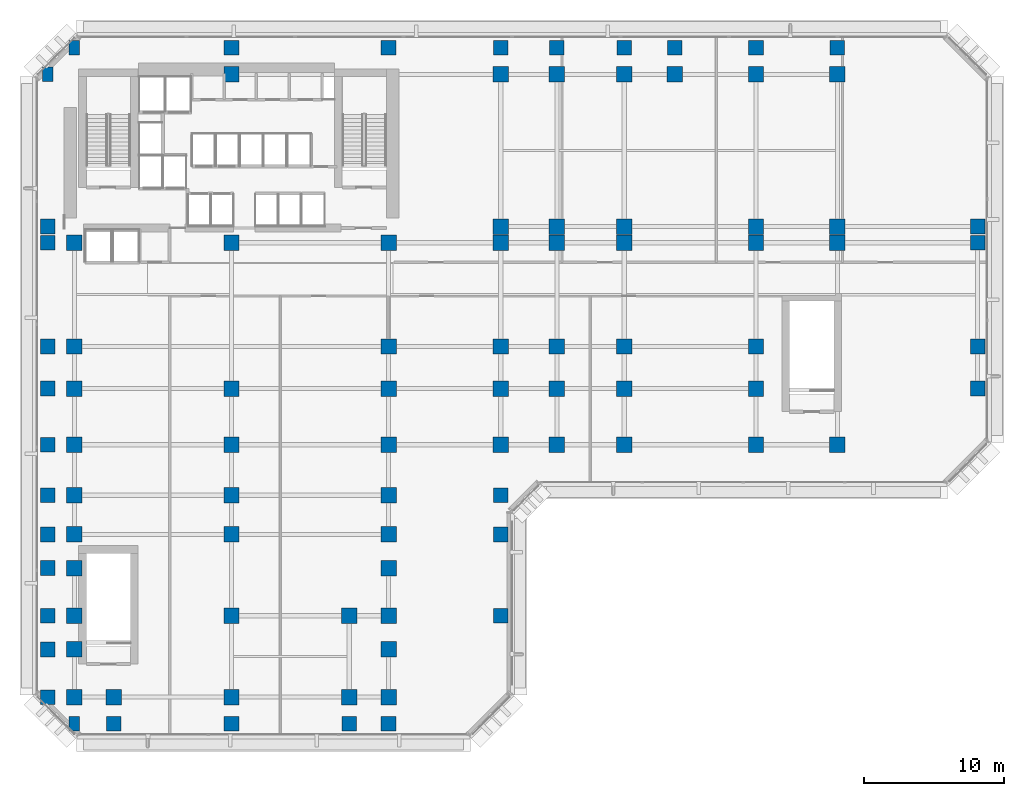
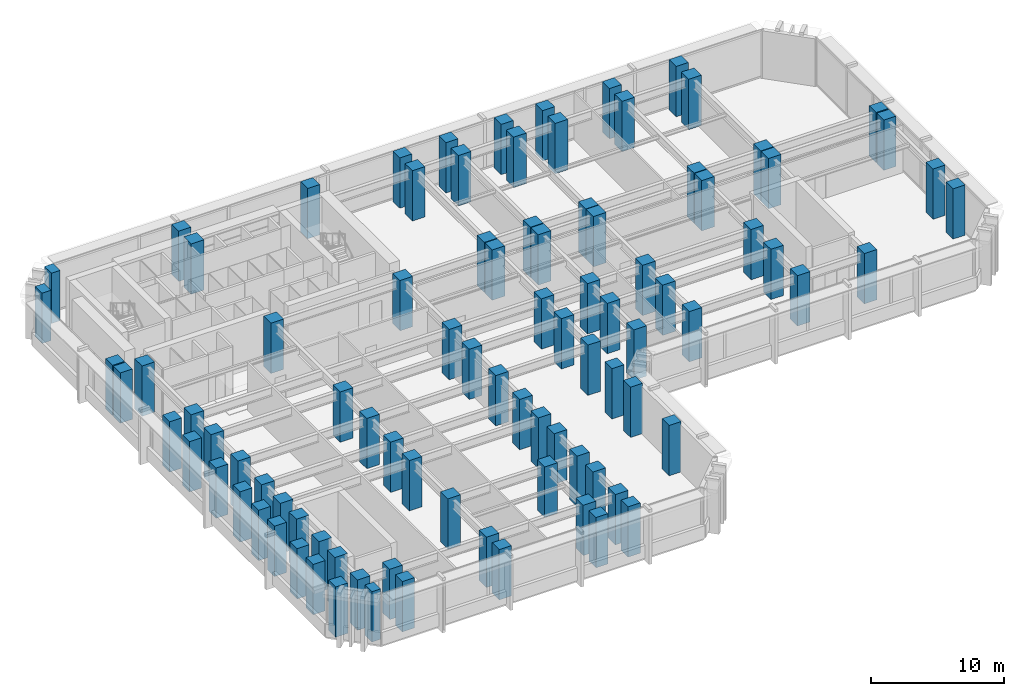
# One storey, part 1 of 14: 93 columns.
"""IFC4 building model written with IfcOpenShell, lengths in metres."""

from ifc_helpers import new_model, si_unit, direction, frame, origin, origin_2d, place, context, subcontext, project, spatial, rectangle, extrude, material, material_profile, profile_set, type_object, element, save


model = new_model("IFC4")

# Units and contexts
model_context = context("Model", 3, precision=1e-05, world=origin(), true_north=direction((0.0, 1.0)))
body_context = subcontext(model_context, "Body", "Model", "MODEL_VIEW")
ifc_project = project(units=[si_unit("LENGTHUNIT", "METRE"), si_unit("AREAUNIT", "SQUARE_METRE"), si_unit("VOLUMEUNIT", "CUBIC_METRE"), si_unit("PLANEANGLEUNIT", "RADIAN"), si_unit("MASSUNIT", "GRAM", prefix="KILO")], contexts=[model_context])

# Site, building, storey
site_placement = place(None, origin())
site = spatial("IfcSite", under=ifc_project, at=site_placement, CompositionType="ELEMENT")
building_placement = place(site_placement, origin())
building = spatial("IfcBuilding", under=site, at=building_placement, Name="Kefirva Bronze Tower", CompositionType="ELEMENT")
storey_placement = place(building_placement, frame((0.0, 0.0, 25.739990234375)))
storey = spatial("IfcBuildingStorey", under=building, at=storey_placement, Name="L05", CompositionType="ELEMENT", Elevation=25.739990234375)

# Columns
ifc_material = material(Name="Concrete C60/75", Category="concrete")
ifc_material_profile_1 = material_profile(ifc_material, rectangle(XDim=1.050048828125, YDim=1.050048828125, at=origin_2d()), Name="RC 1050x1050")
ifc_profile_set_1 = profile_set([ifc_material_profile_1], Name="Concrete C60/75")
column_type_1 = type_object("IfcColumnType", Name="RC Column 1050x1050 Ext", PredefinedType="COLUMN", material=ifc_profile_set_1)
for number, where, z_axis, x_axis, name in (
    (1, (-1.10009765625, 0.800048828125, 0.0), (0.0, 0.0, 1.0), (1.0, 0.0, 0.0), "L05 Column C-11_008"),
    (2, (-1.10009765625, 4.199951171875, 0.0), (0.0, 0.0, 1.0), (1.0, 0.0, 0.0), "L05 Column C-11_042"),
    (3, (-1.10009765625, 6.60009765625, 0.0), (0.0, 0.0, 1.0), (1.0, 0.0, 0.0), "L05 Column C-11_066"),
    (4, (-1.10009765625, 10.0, 0.0), (0.0, 0.0, 1.0), (1.0, 0.0, 0.0), "L05 Column C-11_100"),
    (5, (-1.10009765625, 12.39990234375, 0.0), (0.0, 0.0, 1.0), (1.0, 0.0, 0.0), "L05 Column C-11_124"),
    (6, (-1.10009765625, 15.199951171875, 0.0), (0.0, 0.0, 1.0), (1.0, 0.0, 0.0), "L05 Column C-11_152"),
    (7, (-1.10009765625, 18.800048828125, 0.0), (0.0, 0.0, 1.0), (1.0, 0.0, 0.0), "L05 Column C-11_188"),
    (8, (-1.10009765625, 22.800048828125, 0.0), (0.0, 0.0, 1.0), (1.0, 0.0, 0.0), "L05 Column C-11_228"),
    (9, (-1.10009765625, 25.800048828125, 0.0), (0.0, 0.0, 1.0), (1.0, 0.0, 0.0), "L05 Column C-11_258"),
    (10, (-1.10009765625, 33.199951171875, 0.0), (0.0, 0.0, 1.0), (1.0, 0.0, 0.0), "L05 Column C-11_332"),
    (11, (-1.10009765625, 34.35009765625, 0.0), (0.0, 0.0, 1.0), (1.0, 0.0, 0.0), "L05 Column C-11_344"),
    (12, (3.60009765625, -1.10009765625, 0.0), (0.0, 0.0, 1.0), (1.0, 0.0, 0.0), "L05 Column C036_-11"),
    (13, (12.0, -1.10009765625, 0.0), (0.0, 0.0, 1.0), (1.0, 0.0, 0.0), "L05 Column C120_-11"),
    (14, (12.0, 47.10009765625, 0.0), (0.0, 0.0, 1.0), (1.0, 0.0, 0.0), "L05 Column C120_471"),
    (15, (20.39990234375, -1.10009765625, 0.0), (0.0, 0.0, 1.0), (1.0, 0.0, 0.0), "L05 Column C204_-11"),
    (16, (23.199951171875, -1.10009765625, 0.0), (0.0, 0.0, 1.0), (1.0, 0.0, 0.0), "L05 Column C232_-11"),
    (17, (23.199951171875, 47.10009765625, 0.0), (0.0, 0.0, 1.0), (1.0, 0.0, 0.0), "L05 Column C232_471"),
    (18, (31.199951171875, 6.60009765625, 0.0), (0.0, 0.0, 1.0), (1.0, 0.0, 0.0), "L05 Column C312_066"),
    (19, (31.199951171875, 12.39990234375, 0.0), (0.0, 0.0, 1.0), (1.0, 0.0, 0.0), "L05 Column C312_124"),
    (20, (31.199951171875, 15.199951171875, 0.0), (0.0, 0.0, 1.0), (1.0, 0.0, 0.0), "L05 Column C312_152"),
    (21, (31.199951171875, 47.10009765625, 0.0), (0.0, 0.0, 1.0), (1.0, 0.0, 0.0), "L05 Column C312_471"),
    (22, (35.199951171875, 47.10009765625, 0.0), (0.0, 0.0, 1.0), (1.0, 0.0, 0.0), "L05 Column C352_471"),
    (23, (40.0, 47.10009765625, 0.0), (0.0, 0.0, 1.0), (1.0, 0.0, 0.0), "L05 Column C400_471"),
    (24, (43.60009765625, 47.10009765625, 0.0), (0.0, 0.0, 1.0), (1.0, 0.0, 0.0), "L05 Column C436_471"),
    (25, (49.39990234375, 47.10009765625, 0.0), (0.0, 0.0, 1.0), (1.0, 0.0, 0.0), "L05 Column C494_471"),
    (26, (55.199951171875, 47.10009765625, 0.0), (0.0, 0.0, 1.0), (1.0, 0.0, 0.0), "L05 Column C552_471"),
    (27, (65.199951171875, 22.800048828125, 0.0), (0.0, 0.0, 1.0), (1.0, 0.0, 0.0), "L05 Column C652_228"),
    (28, (65.199951171875, 25.800048828125, 0.0), (0.0, 0.0, 1.0), (1.0, 0.0, 0.0), "L05 Column C652_258"),
    (29, (65.199951171875, 33.199951171875, 0.0), (0.0, 0.0, 1.0), (1.0, 0.0, 0.0), "L05 Column C652_332"),
    (30, (65.199951171875, 34.35009765625, 0.0), (0.0, 0.0, 1.0), (1.0, 0.0, 0.0), "L05 Column C652_344"),
):
    element("IfcColumn", number, at=place(storey_placement, frame(where, z_axis=z_axis, x_axis=x_axis)), inside=storey, type_object=column_type_1, Name=name, PredefinedType="COLUMN", context=body_context, shape_type="SweptSolid", body=[
        extrude(rectangle(XDim=1.050048828125, YDim=1.050048828125, at=origin_2d()), origin(), (0.0, 0.0, 1.0), 4.6201171875),
    ])
ifc_material_profile_2 = material_profile(ifc_material, rectangle(XDim=1.10009765625, YDim=1.10009765625, at=origin_2d()), Name="RC 1100x1100")
ifc_profile_set_2 = profile_set([ifc_material_profile_2], Name="Concrete C60/75")
column_type_2 = type_object("IfcColumnType", Name="RC Column 1100x1100 Int", PredefinedType="COLUMN", material=ifc_profile_set_2)
for number, where, z_axis, x_axis, name in (
    (31, (0.800048828125, 0.800048828125, 0.0), (0.0, 0.0, 1.0), (1.0, 0.0, 0.0), "L05 Column C008_008"),
    (32, (0.800048828125, 4.199951171875, 0.0), (0.0, 0.0, 1.0), (1.0, 0.0, 0.0), "L05 Column C008_042"),
    (33, (0.800048828125, 6.60009765625, 0.0), (0.0, 0.0, 1.0), (1.0, 0.0, 0.0), "L05 Column C008_066"),
    (34, (0.800048828125, 10.0, 0.0), (0.0, 0.0, 1.0), (1.0, 0.0, 0.0), "L05 Column C008_100"),
    (35, (0.800048828125, 12.39990234375, 0.0), (0.0, 0.0, 1.0), (1.0, 0.0, 0.0), "L05 Column C008_124"),
    (36, (0.800048828125, 15.199951171875, 0.0), (0.0, 0.0, 1.0), (1.0, 0.0, 0.0), "L05 Column C008_152"),
    (37, (0.800048828125, 18.800048828125, 0.0), (0.0, 0.0, 1.0), (1.0, 0.0, 0.0), "L05 Column C008_188"),
    (38, (0.800048828125, 22.800048828125, 0.0), (0.0, 0.0, 1.0), (1.0, 0.0, 0.0), "L05 Column C008_228"),
    (39, (0.800048828125, 25.800048828125, 0.0), (0.0, 0.0, 1.0), (1.0, 0.0, 0.0), "L05 Column C008_258"),
    (40, (0.800048828125, 33.199951171875, 0.0), (0.0, 0.0, 1.0), (1.0, 0.0, 0.0), "L05 Column C008_332"),
    (41, (3.60009765625, 0.800048828125, 0.0), (0.0, 0.0, 1.0), (1.0, 0.0, 0.0), "L05 Column C036_008"),
    (42, (12.0, 0.800048828125, 0.0), (0.0, 0.0, 1.0), (1.0, 0.0, 0.0), "L05 Column C120_008"),
    (43, (12.0, 6.60009765625, 0.0), (0.0, 0.0, 1.0), (1.0, 0.0, 0.0), "L05 Column C120_066"),
    (44, (12.0, 12.39990234375, 0.0), (0.0, 0.0, 1.0), (1.0, 0.0, 0.0), "L05 Column C120_124"),
    (45, (12.0, 15.199951171875, 0.0), (0.0, 0.0, 1.0), (1.0, 0.0, 0.0), "L05 Column C120_152"),
    (46, (12.0, 18.800048828125, 0.0), (0.0, 0.0, 1.0), (1.0, 0.0, 0.0), "L05 Column C120_188"),
    (47, (12.0, 22.800048828125, 0.0), (0.0, 0.0, 1.0), (1.0, 0.0, 0.0), "L05 Column C120_228"),
    (48, (12.0, 33.199951171875, 0.0), (0.0, 0.0, 1.0), (1.0, 0.0, 0.0), "L05 Column C120_332"),
    (49, (12.0, 45.199951171875, 0.0), (0.0, 0.0, 1.0), (1.0, 0.0, 0.0), "L05 Column C120_452"),
    (50, (20.39990234375, 0.800048828125, 0.0), (0.0, 0.0, 1.0), (1.0, 0.0, 0.0), "L05 Column C204_008"),
    (51, (20.39990234375, 6.60009765625, 0.0), (0.0, 0.0, 1.0), (1.0, 0.0, 0.0), "L05 Column C204_066"),
    (52, (23.199951171875, 0.800048828125, 0.0), (0.0, 0.0, 1.0), (1.0, 0.0, 0.0), "L05 Column C232_008"),
    (53, (23.199951171875, 4.199951171875, 0.0), (0.0, 0.0, 1.0), (1.0, 0.0, 0.0), "L05 Column C232_042"),
    (54, (23.199951171875, 6.60009765625, 0.0), (0.0, 0.0, 1.0), (1.0, 0.0, 0.0), "L05 Column C232_066"),
    (55, (23.199951171875, 10.0, 0.0), (0.0, 0.0, 1.0), (1.0, 0.0, 0.0), "L05 Column C232_100"),
    (56, (23.199951171875, 12.39990234375, 0.0), (0.0, 0.0, 1.0), (1.0, 0.0, 0.0), "L05 Column C232_124"),
    (57, (23.199951171875, 15.199951171875, 0.0), (0.0, 0.0, 1.0), (1.0, 0.0, 0.0), "L05 Column C232_152"),
    (58, (23.199951171875, 18.800048828125, 0.0), (0.0, 0.0, 1.0), (1.0, 0.0, 0.0), "L05 Column C232_188"),
    (59, (23.199951171875, 22.800048828125, 0.0), (0.0, 0.0, 1.0), (1.0, 0.0, 0.0), "L05 Column C232_228"),
    (60, (23.199951171875, 25.800048828125, 0.0), (0.0, 0.0, 1.0), (1.0, 0.0, 0.0), "L05 Column C232_258"),
    (61, (23.199951171875, 33.199951171875, 0.0), (0.0, 0.0, 1.0), (1.0, 0.0, 0.0), "L05 Column C232_332"),
    (62, (31.199951171875, 18.800048828125, 0.0), (0.0, 0.0, 1.0), (1.0, 0.0, 0.0), "L05 Column C312_188"),
    (63, (31.199951171875, 22.800048828125, 0.0), (0.0, 0.0, 1.0), (1.0, 0.0, 0.0), "L05 Column C312_228"),
    (64, (31.199951171875, 25.800048828125, 0.0), (0.0, 0.0, 1.0), (1.0, 0.0, 0.0), "L05 Column C312_258"),
    (65, (31.199951171875, 33.199951171875, 0.0), (0.0, 0.0, 1.0), (1.0, 0.0, 0.0), "L05 Column C312_332"),
    (66, (31.199951171875, 34.35009765625, 0.0), (0.0, 0.0, 1.0), (1.0, 0.0, 0.0), "L05 Column C312_344"),
    (67, (31.199951171875, 45.199951171875, 0.0), (0.0, 0.0, 1.0), (1.0, 0.0, 0.0), "L05 Column C312_452"),
    (68, (35.199951171875, 18.800048828125, 0.0), (0.0, 0.0, 1.0), (1.0, 0.0, 0.0), "L05 Column C352_188"),
    (69, (35.199951171875, 22.800048828125, 0.0), (0.0, 0.0, 1.0), (1.0, 0.0, 0.0), "L05 Column C352_228"),
    (70, (35.199951171875, 25.800048828125, 0.0), (0.0, 0.0, 1.0), (1.0, 0.0, 0.0), "L05 Column C352_258"),
    (71, (35.199951171875, 33.199951171875, 0.0), (0.0, 0.0, 1.0), (1.0, 0.0, 0.0), "L05 Column C352_332"),
    (72, (35.199951171875, 34.35009765625, 0.0), (0.0, 0.0, 1.0), (1.0, 0.0, 0.0), "L05 Column C352_344"),
    (73, (35.199951171875, 45.199951171875, 0.0), (0.0, 0.0, 1.0), (1.0, 0.0, 0.0), "L05 Column C352_452"),
    (74, (40.0, 18.800048828125, 0.0), (0.0, 0.0, 1.0), (1.0, 0.0, 0.0), "L05 Column C400_188"),
    (75, (40.0, 22.800048828125, 0.0), (0.0, 0.0, 1.0), (1.0, 0.0, 0.0), "L05 Column C400_228"),
    (76, (40.0, 25.800048828125, 0.0), (0.0, 0.0, 1.0), (1.0, 0.0, 0.0), "L05 Column C400_258"),
    (77, (40.0, 33.199951171875, 0.0), (0.0, 0.0, 1.0), (1.0, 0.0, 0.0), "L05 Column C400_332"),
    (78, (40.0, 34.35009765625, 0.0), (0.0, 0.0, 1.0), (1.0, 0.0, 0.0), "L05 Column C400_344"),
    (79, (40.0, 45.199951171875, 0.0), (0.0, 0.0, 1.0), (1.0, 0.0, 0.0), "L05 Column C400_452"),
    (80, (43.60009765625, 45.199951171875, 0.0), (0.0, 0.0, 1.0), (1.0, 0.0, 0.0), "L05 Column C436_452"),
    (81, (49.39990234375, 18.800048828125, 0.0), (0.0, 0.0, 1.0), (1.0, 0.0, 0.0), "L05 Column C494_188"),
    (82, (49.39990234375, 22.800048828125, 0.0), (0.0, 0.0, 1.0), (1.0, 0.0, 0.0), "L05 Column C494_228"),
    (83, (49.39990234375, 25.800048828125, 0.0), (0.0, 0.0, 1.0), (1.0, 0.0, 0.0), "L05 Column C494_258"),
    (84, (49.39990234375, 33.199951171875, 0.0), (0.0, 0.0, 1.0), (1.0, 0.0, 0.0), "L05 Column C494_332"),
    (85, (49.39990234375, 34.35009765625, 0.0), (0.0, 0.0, 1.0), (1.0, 0.0, 0.0), "L05 Column C494_344"),
    (86, (49.39990234375, 45.199951171875, 0.0), (0.0, 0.0, 1.0), (1.0, 0.0, 0.0), "L05 Column C494_452"),
    (87, (55.199951171875, 18.800048828125, 0.0), (0.0, 0.0, 1.0), (1.0, 0.0, 0.0), "L05 Column C552_188"),
    (88, (55.199951171875, 33.199951171875, 0.0), (0.0, 0.0, 1.0), (1.0, 0.0, 0.0), "L05 Column C552_332"),
    (89, (55.199951171875, 34.35009765625, 0.0), (0.0, 0.0, 1.0), (1.0, 0.0, 0.0), "L05 Column C552_344"),
    (90, (55.199951171875, 45.199951171875, 0.0), (0.0, 0.0, 1.0), (1.0, 0.0, 0.0), "L05 Column C552_452"),
):
    element("IfcColumn", number, at=place(storey_placement, frame(where, z_axis=z_axis, x_axis=x_axis)), inside=storey, type_object=column_type_2, Name=name, PredefinedType="COLUMN", context=body_context, shape_type="SweptSolid", body=[
        extrude(rectangle(XDim=1.10009765625, YDim=1.10009765625, at=origin_2d()), origin(), (0.0, 0.0, 1.0), 4.6201171875),
    ])
ifc_material_profile_3 = material_profile(ifc_material, rectangle(XDim=0.760009765625, YDim=1.0400390625, at=origin_2d()), Name="RC 760x1040")
ifc_profile_set_3 = profile_set([ifc_material_profile_3], Name="Concrete C60/75")
column_type_3 = type_object("IfcColumnType", Name="RC Corner Buttress Pilaster 1040x760", PredefinedType="PILASTER", material=ifc_profile_set_3)
for number, where, z_axis, x_axis, name in (
    (91, (-1.10009765625, 45.199951171875, 0.0), (0.0, 0.0, 1.0), (1.0, 0.0, 0.0), "L05 Column C-11_452"),
    (92, (0.800048828125, -1.10009765625, 0.0), (0.0, 0.0, 1.0), (1.0, 0.0, 0.0), "L05 Column C008_-11"),
    (93, (0.800048828125, 47.10009765625, 0.0), (0.0, 0.0, 1.0), (1.0, 0.0, 0.0), "L05 Column C008_471"),
):
    element("IfcColumn", number, at=place(storey_placement, frame(where, z_axis=z_axis, x_axis=x_axis)), inside=storey, type_object=column_type_3, Name=name, PredefinedType="PILASTER", context=body_context, shape_type="SweptSolid", body=[
        extrude(rectangle(XDim=0.760009765625, YDim=1.0400390625, at=origin_2d()), origin(), (0.0, 0.0, 1.0), 4.6201171875),
    ])

save(model, "model.ifc")
